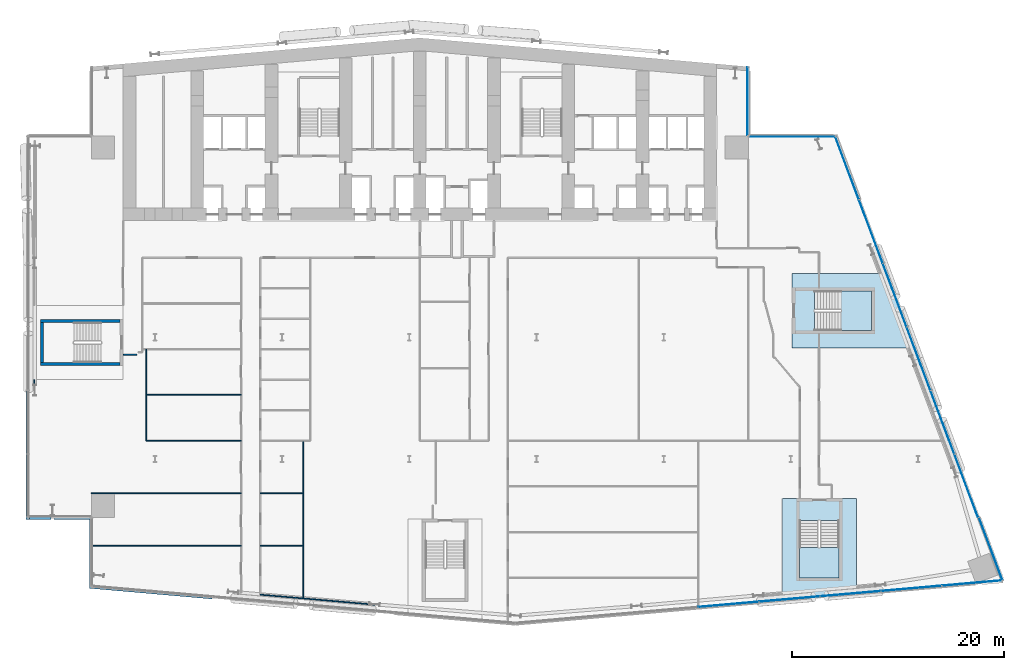
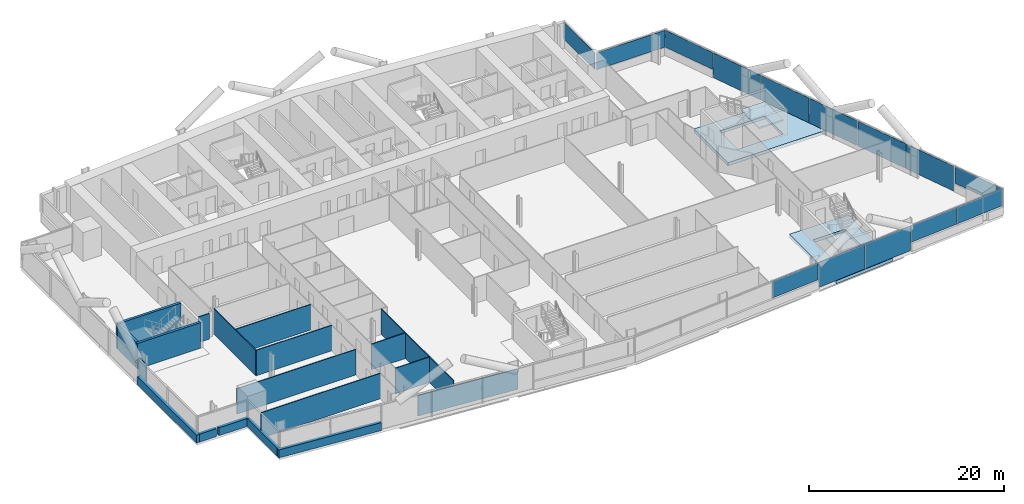
# One storey, part 12 of 27: 19 walls, 14 plates, 4 slabs, 6 elements without a shape of their own.
"""IFC4 building model written with IfcOpenShell, lengths in metres."""

from ifc_helpers import new_model, si_unit, direction, frame, frame_2d, origin, origin_2d, place, context, subcontext, project, spatial, polyline, rectangle, outline, extrude, material, layer, layer_set, type_object, element, aggregate, save


model = new_model("IFC4")

# Units and contexts
model_context = context("Model", 3, precision=1e-05, world=origin(), true_north=direction((0.0, 1.0)))
body_context = subcontext(model_context, "Body", "Model", "MODEL_VIEW")
ifc_project = project(units=[si_unit("LENGTHUNIT", "METRE"), si_unit("AREAUNIT", "SQUARE_METRE"), si_unit("VOLUMEUNIT", "CUBIC_METRE"), si_unit("PLANEANGLEUNIT", "RADIAN"), si_unit("MASSUNIT", "GRAM", prefix="KILO")], contexts=[model_context])

# Site, building, storey
site_placement = place(None, origin())
site = spatial("IfcSite", under=ifc_project, at=site_placement, CompositionType="ELEMENT")
building_placement = place(site_placement, origin())
building = spatial("IfcBuilding", under=site, at=building_placement, Name="Wharfspan Tower", CompositionType="ELEMENT")
storey_placement = place(building_placement, frame((0.0, 0.0, 73.899902)))
storey = spatial("IfcBuildingStorey", under=building, at=storey_placement, Name="L15", CompositionType="ELEMENT", Elevation=73.899902)

# Curtain wall, plates
ifc_material_1 = material(Name="Aluminium 6063-T6", Category="aluminium")
curtain_wall_type_1 = type_object("IfcCurtainWallType", Name="CURTAIN WALL FACETED FRONT", PredefinedType="NOTDEFINED", material=ifc_material_1)
curtain_wall_1_placement = place(storey_placement, origin())
curtain_wall_1 = element("IfcCurtainWall", 1, at=curtain_wall_1_placement, inside=storey, type_object=curtain_wall_type_1, Name="Curtain wall S2", PredefinedType="NOTDEFINED")
ifc_material_2 = material(Name="Glass clear low-iron double glazing", Category="glass")
ifc_layer_1 = layer(ifc_material_2, 0.040039)
ifc_layer_set_1 = layer_set([ifc_layer_1], Name="Glass clear low-iron double glazing")
plate_type_1 = type_object("IfcPlateType", Name="GLASS PANEL FACETED FRONT 40", PredefinedType="CURTAIN_PANEL", material=ifc_layer_set_1)
plate_1_placement = place(storey_placement, frame((66.119873, -2.204102, 1.0), z_axis=(0.0, 0.0, 1.0), x_axis=(0.996197, 0.087156, 0.0)))
plate_1 = element("IfcPlate", 2, at=plate_1_placement, type_object=plate_type_1, Name="Curtain wall S2 panel 4", PredefinedType="CURTAIN_PANEL", context=body_context, shape_type="SweptSolid", body=[
    extrude(rectangle(XDim=5.711914, YDim=0.040039, at=origin_2d()), origin(), (0.0, 0.0, 1.0), 2.120117),
])
plate_2_placement = place(storey_placement, frame((83.369873, -0.694824, 1.0), z_axis=(0.0, 0.0, 1.0), x_axis=(0.996197, 0.087156, 0.0)))
plate_2 = element("IfcPlate", 3, at=plate_2_placement, type_object=plate_type_1, Name="Curtain wall S2 panel 7", PredefinedType="CURTAIN_PANEL", context=body_context, shape_type="SweptSolid", body=[
    extrude(rectangle(XDim=5.711914, YDim=0.040039, at=origin_2d()), origin(), (0.0, 0.0, 1.0), 2.120117),
])
plate_3_placement = place(storey_placement, frame((89.104736, -0.193115, 1.0), z_axis=(0.0, 0.0, 1.0), x_axis=(0.996197, 0.087156, 0.0)))
plate_3 = element("IfcPlate", 4, at=plate_3_placement, type_object=plate_type_1, Name="Curtain wall S2 panel 8", PredefinedType="CURTAIN_PANEL", context=body_context, shape_type="SweptSolid", body=[
    extrude(rectangle(XDim=5.681885, YDim=0.040039, at=origin_2d()), origin(), (0.0, 0.0, 1.0), 2.120117),
])

curtain_wall_type_2 = type_object("IfcCurtainWallType", Name="CURTAIN WALL PROW AND END", PredefinedType="NOTDEFINED", material=ifc_material_1)
curtain_wall_2_placement = place(storey_placement, origin())
curtain_wall_2 = element("IfcCurtainWall", 5, at=curtain_wall_2_placement, inside=storey, type_object=curtain_wall_type_2, Name="Curtain wall E", PredefinedType="NOTDEFINED")
ifc_layer_2 = layer(ifc_material_2, 0.040039)
ifc_layer_set_2 = layer_set([ifc_layer_2], Name="Glass clear low-iron double glazing")
plate_type_2 = type_object("IfcPlateType", Name="GLASS PANEL PROW AND END 40", PredefinedType="CURTAIN_PANEL", material=ifc_layer_set_2)
plate_4_placement = place(storey_placement, frame((90.869629, 3.01416, 1.0), z_axis=(0.0, 0.0, 1.0), x_axis=(-0.351123, 0.936328, 0.0)))
plate_4 = element("IfcPlate", 6, at=plate_4_placement, type_object=plate_type_2, Name="Curtain wall E panel 1", PredefinedType="CURTAIN_PANEL", context=body_context, shape_type="SweptSolid", body=[
    extrude(rectangle(XDim=6.318115, YDim=0.040039, at=origin_2d()), origin(), (0.0, 0.0, 1.0), 2.120117),
])
plate_5_placement = place(storey_placement, frame((77.30542, 38.957764, 1.0), z_axis=(0.0, 0.0, 1.0), x_axis=(-0.351123, 0.936328, 0.0)))
plate_5 = element("IfcPlate", 7, at=plate_5_placement, type_object=plate_type_2, Name="Curtain wall E panel 7", PredefinedType="CURTAIN_PANEL", context=body_context, shape_type="SweptSolid", body=[
    extrude(rectangle(XDim=6.318115, YDim=0.040039, at=origin_2d()), origin(), (0.0, 0.0, 1.0), 2.120117),
])

# Curtain wall, plate
curtain_wall_3_placement = place(storey_placement, origin())
curtain_wall_3 = element("IfcCurtainWall", 8, at=curtain_wall_3_placement, inside=storey, type_object=curtain_wall_type_2, Name="Curtain wall NRE-H", PredefinedType="NOTDEFINED")
plate_6_placement = place(storey_placement, frame((72.125, 41.919922, 1.0), z_axis=(0.0, 0.0, 1.0), x_axis=(-1.0, 0.0, 0.0)))
plate_6 = element("IfcPlate", 9, at=plate_6_placement, type_object=plate_type_2, Name="Curtain wall NRE-H panel 1", PredefinedType="CURTAIN_PANEL", context=body_context, shape_type="SweptSolid", body=[
    extrude(rectangle(XDim=8.129883, YDim=0.040039, at=origin_2d()), origin(), (0.0, 0.0, 1.0), 2.120117),
])
aggregate(curtain_wall_3, [plate_6])

curtain_wall_4_placement = place(storey_placement, origin())
curtain_wall_4 = element("IfcCurtainWall", 10, at=curtain_wall_4_placement, inside=storey, type_object=curtain_wall_type_2, Name="Curtain wall NRE-V", PredefinedType="NOTDEFINED")
plate_7_placement = place(storey_placement, frame((67.919922, 45.262451, 1.0), z_axis=(0.0, 0.0, 1.0), x_axis=(0.0, 1.0, 0.0)))
plate_7 = element("IfcPlate", 11, at=plate_7_placement, type_object=plate_type_2, Name="Curtain wall NRE-V panel 1", PredefinedType="CURTAIN_PANEL", context=body_context, shape_type="SweptSolid", body=[
    extrude(rectangle(XDim=6.405029, YDim=0.040039, at=origin_2d()), origin(), (0.0, 0.0, 1.0), 2.120117),
])
aggregate(curtain_wall_4, [plate_7])

# Plate
ifc_material_3 = material(Name="Aluminium composite opaque insulated panel", Category="aluminium")
ifc_layer_3 = layer(ifc_material_3, 0.040039)
ifc_layer_set_3 = layer_set([ifc_layer_3], Name="Aluminium composite opaque insulated panel")
plate_type_3 = type_object("IfcPlateType", Name="INFILL PANEL FACETED FRONT OPAQUE 40", PredefinedType="SHEET", material=ifc_layer_set_3)
plate_8_placement = place(storey_placement, frame((71.869873, -1.700928, 0.0), z_axis=(0.0, 0.0, 1.0), x_axis=(0.996197, 0.087156, 0.0)))
plate_8 = element("IfcPlate", 12, at=plate_8_placement, type_object=plate_type_3, Name="Curtain wall S2 panel 5", PredefinedType="SHEET", context=body_context, shape_type="SweptSolid", body=[
    extrude(rectangle(XDim=5.711914, YDim=0.040039, at=origin_2d()), origin(), (0.0, 0.0, 1.0), 3.120117),
])

plate_9_placement = place(storey_placement, frame((77.619873, -1.197998, 0.0), z_axis=(0.0, 0.0, 1.0), x_axis=(0.996197, 0.087156, 0.0)))
plate_9 = element("IfcPlate", 13, at=plate_9_placement, type_object=plate_type_3, Name="Curtain wall S2 panel 6", PredefinedType="SHEET", context=body_context, shape_type="SweptSolid", body=[
    extrude(rectangle(XDim=5.711914, YDim=0.040039, at=origin_2d()), origin(), (0.0, 0.0, 1.0), 3.120117),
])

aggregate(curtain_wall_1, [plate_1, plate_8, plate_9, plate_2, plate_3])

ifc_layer_4 = layer(ifc_material_3, 0.040039)
ifc_layer_set_4 = layer_set([ifc_layer_4], Name="Aluminium composite opaque insulated panel")
plate_type_4 = type_object("IfcPlateType", Name="INFILL PANEL PROW AND END OPAQUE 40", PredefinedType="SHEET", material=ifc_layer_set_4)
plate_10_placement = place(storey_placement, frame((88.550049, 8.971924, 0.0), z_axis=(0.0, 0.0, 1.0), x_axis=(-0.351123, 0.936328, 0.0)))
plate_10 = element("IfcPlate", 14, at=plate_10_placement, type_object=plate_type_4, Name="Curtain wall E panel 2", PredefinedType="SHEET", context=body_context, shape_type="SweptSolid", body=[
    extrude(rectangle(XDim=6.3479, YDim=0.040039, at=origin_2d()), origin(), (0.0, 0.0, 1.0), 3.120117),
])

plate_11_placement = place(storey_placement, frame((86.300049, 14.971924, 0.0), z_axis=(0.0, 0.0, 1.0), x_axis=(-0.351123, 0.936328, 0.0)))
plate_11 = element("IfcPlate", 15, at=plate_11_placement, type_object=plate_type_4, Name="Curtain wall E panel 3", PredefinedType="SHEET", context=body_context, shape_type="SweptSolid", body=[
    extrude(rectangle(XDim=6.3479, YDim=0.040039, at=origin_2d()), origin(), (0.0, 0.0, 1.0), 3.120117),
])

plate_12_placement = place(storey_placement, frame((84.050049, 20.971924, 0.0), z_axis=(0.0, 0.0, 1.0), x_axis=(-0.351123, 0.936328, 0.0)))
plate_12 = element("IfcPlate", 16, at=plate_12_placement, type_object=plate_type_4, Name="Curtain wall E panel 4", PredefinedType="SHEET", context=body_context, shape_type="SweptSolid", body=[
    extrude(rectangle(XDim=6.3479, YDim=0.040039, at=origin_2d()), origin(), (0.0, 0.0, 1.0), 3.120117),
])

plate_13_placement = place(storey_placement, frame((81.800049, 26.971924, 0.0), z_axis=(0.0, 0.0, 1.0), x_axis=(-0.351123, 0.936328, 0.0)))
plate_13 = element("IfcPlate", 17, at=plate_13_placement, type_object=plate_type_4, Name="Curtain wall E panel 5", PredefinedType="SHEET", context=body_context, shape_type="SweptSolid", body=[
    extrude(rectangle(XDim=6.3479, YDim=0.040039, at=origin_2d()), origin(), (0.0, 0.0, 1.0), 3.120117),
])

plate_14_placement = place(storey_placement, frame((79.550049, 32.971924, 0.0), z_axis=(0.0, 0.0, 1.0), x_axis=(-0.351123, 0.936328, 0.0)))
plate_14 = element("IfcPlate", 18, at=plate_14_placement, type_object=plate_type_4, Name="Curtain wall E panel 6", PredefinedType="SHEET", context=body_context, shape_type="SweptSolid", body=[
    extrude(rectangle(XDim=6.3479, YDim=0.040039, at=origin_2d()), origin(), (0.0, 0.0, 1.0), 3.120117),
])

aggregate(curtain_wall_2, [plate_4, plate_10, plate_11, plate_12, plate_13, plate_14, plate_5])

# Slabs
ifc_material_4 = material(Name="Concrete C40/50", Category="concrete")
ifc_layer_5 = layer(ifc_material_4, 0.399902)
ifc_layer_set_5 = layer_set([ifc_layer_5], Name="Concrete C40/50")
slab_type_1 = type_object("IfcSlabType", Name="Post-tensioned flat slab 400", PredefinedType="FLOOR", material=ifc_layer_set_5)
slab_1_placement = place(storey_placement, frame((0.0, 0.0, -0.400146)))
element("IfcSlab", 19, at=slab_1_placement, inside=storey, type_object=slab_type_1, Name="Core floor slab L15 part 5", PredefinedType="FLOOR", context=body_context, shape_type="SweptSolid", body=[
    extrude(outline(polyline([(78.192383, 7.791992), (76.867432, 7.791992), (72.517578, 7.791992), (71.192383, 7.791992), (71.192383, -1.820312), (78.192383, -1.208008), (78.192383, 7.791992)]), holes=[polyline([(76.567383, 5.694092), (76.567627, 5.694092), (76.567871, 5.694092), (76.568115, 5.693848), (76.568115, 5.693848), (76.568359, 5.693848), (76.568604, 5.693604), (76.568604, 5.693604), (76.568848, 5.693359), (76.569092, 5.693359), (76.569092, 5.693115), (76.569092, 5.692871), (76.569336, 5.692871), (76.569336, 5.692627), (76.569336, 5.692383), (76.56958, 5.692139), (76.56958, 5.691895), (76.56958, 0.291992), (76.56958, 0.291748), (76.569336, 0.291504), (76.569336, 0.291504), (76.569336, 0.29126), (76.569092, 0.291016), (76.569092, 0.291016), (76.569092, 0.290771), (76.568848, 0.290527), (76.568604, 0.290527), (76.568604, 0.290283), (76.568359, 0.290283), (76.568115, 0.290283), (76.568115, 0.290039), (76.567871, 0.290039), (76.567627, 0.290039), (76.567383, 0.290039), (72.817383, 0.290039), (72.817383, 0.290039), (72.817139, 0.290039), (72.816895, 0.290039), (72.81665, 0.290283), (72.816406, 0.290283), (72.816406, 0.290283), (72.816162, 0.290527), (72.816162, 0.290527), (72.815918, 0.290771), (72.815918, 0.291016), (72.815674, 0.291016), (72.815674, 0.29126), (72.815674, 0.291504), (72.81543, 0.291504), (72.81543, 0.291748), (72.81543, 0.291992), (72.81543, 5.691895), (72.81543, 5.692139), (72.81543, 5.692383), (72.815674, 5.692627), (72.815674, 5.692871), (72.815674, 5.692871), (72.815918, 5.693115), (72.815918, 5.693359), (72.816162, 5.693359), (72.816162, 5.693604), (72.816406, 5.693604), (72.816406, 5.693848), (72.81665, 5.693848), (72.816895, 5.693848), (72.817139, 5.694092), (72.817383, 5.694092), (72.817383, 5.694092), (76.567383, 5.694092)])]), origin(), (0.0, 0.0, 1.0), 0.400146),
])
slab_2_placement = place(storey_placement, frame((0.0, 0.0, -0.400146)))
element("IfcSlab", 20, at=slab_2_placement, inside=storey, type_object=slab_type_1, Name="Core floor slab L15 part 6", PredefinedType="FLOOR", context=body_context, shape_type="SweptSolid", body=[
    extrude(outline(polyline([(81.125, 29.0), (72.125, 29.0), (72.125, 27.675049), (72.125, 23.324951), (72.125, 22.0), (83.75, 22.0), (81.125, 29.0)]), holes=[polyline([(74.2229, 27.375), (74.2229, 27.375244), (74.2229, 27.375488), (74.223145, 27.375488), (74.223145, 27.375732), (74.223145, 27.375977), (74.223389, 27.376221), (74.223389, 27.376221), (74.223633, 27.376465), (74.223633, 27.376465), (74.223877, 27.376709), (74.224121, 27.376709), (74.224121, 27.376709), (74.224365, 27.376953), (74.224609, 27.376953), (74.224854, 27.376953), (74.225098, 27.376953), (79.625, 27.376953), (79.625244, 27.376953), (79.625488, 27.376953), (79.625488, 27.376953), (79.625732, 27.376709), (79.625977, 27.376709), (79.626221, 27.376709), (79.626221, 27.376465), (79.626465, 27.376465), (79.626465, 27.376221), (79.626709, 27.376221), (79.626709, 27.375977), (79.626709, 27.375732), (79.626953, 27.375488), (79.626953, 27.375488), (79.626953, 27.375244), (79.626953, 27.375), (79.626953, 23.625), (79.626953, 23.624756), (79.626953, 23.624512), (79.626953, 23.624512), (79.626709, 23.624268), (79.626709, 23.624023), (79.626709, 23.623779), (79.626465, 23.623779), (79.626465, 23.623535), (79.626221, 23.623535), (79.626221, 23.623291), (79.625977, 23.623291), (79.625732, 23.623291), (79.625488, 23.623047), (79.625488, 23.623047), (79.625244, 23.623047), (79.625, 23.623047), (74.225098, 23.623047), (74.224854, 23.623047), (74.224609, 23.623047), (74.224365, 23.623047), (74.224121, 23.623291), (74.224121, 23.623291), (74.223877, 23.623291), (74.223633, 23.623535), (74.223633, 23.623535), (74.223389, 23.623779), (74.223389, 23.623779), (74.223145, 23.624023), (74.223145, 23.624268), (74.223145, 23.624512), (74.2229, 23.624512), (74.2229, 23.624756), (74.2229, 23.625), (74.2229, 27.375)])]), origin(), (0.0, 0.0, 1.0), 0.400146),
])

# Stair, slab
stair_type = type_object("IfcStairType", Name="Half-turn stair 20 risers 180 mm", PredefinedType="HALF_TURN_STAIR", material=ifc_material_4)
stair_1_placement = place(storey_placement, origin())
stair_1 = element("IfcStair", 21, at=stair_1_placement, inside=storey, type_object=stair_type, Name="L15 stair ST5", PredefinedType="HALF_TURN_STAIR")
ifc_layer_6 = layer(ifc_material_4, 0.199951)
ifc_layer_set_6 = layer_set([ifc_layer_6], Name="Concrete C40/50")
slab_type_2 = type_object("IfcSlabType", Name="Stair landing 200", PredefinedType="LANDING", material=ifc_layer_set_6)
slab_3_placement = place(storey_placement, frame((0.0, 0.0, 1.599854)))
slab_3 = element("IfcSlab", 22, at=slab_3_placement, type_object=slab_type_2, Name="ST5 landing 1", PredefinedType="LANDING", context=body_context, shape_type="SweptSolid", body=[
    extrude(outline(polyline([(72.817383, 3.172119), (72.817383, 0.291992), (76.567383, 0.291992), (76.567383, 3.172119), (72.817383, 3.172119)])), origin(), (0.0, 0.0, 1.0), 0.200195),
])
aggregate(stair_1, [slab_3])

stair_2_placement = place(storey_placement, origin())
stair_2 = element("IfcStair", 23, at=stair_2_placement, inside=storey, type_object=stair_type, Name="L15 stair ST6", PredefinedType="HALF_TURN_STAIR")
slab_4_placement = place(storey_placement, frame((0.0, 0.0, 1.599854)))
slab_4 = element("IfcSlab", 24, at=slab_4_placement, type_object=slab_type_2, Name="ST6 landing 1", PredefinedType="LANDING", context=body_context, shape_type="SweptSolid", body=[
    extrude(outline(polyline([(76.745117, 23.625), (79.625, 23.625), (79.625, 27.375), (76.745117, 27.375), (76.745117, 23.625)])), origin(), (0.0, 0.0, 1.0), 0.200195),
])
aggregate(stair_2, [slab_4])

# Walls
ifc_material_5 = material(Name="Gypsum board on steel studs", Category="steel")
ifc_layer_7 = layer(ifc_material_5, 0.100098)
ifc_layer_set_7 = layer_set([ifc_layer_7], Name="Gypsum board on steel studs")
wall_type_1 = type_object("IfcWallType", Name="Compartment wall 100 EI 60", PredefinedType="PARTITIONING", material=ifc_layer_set_7)
wall_1_placement = place(storey_placement, frame((6.0, 8.274902, 0.0), z_axis=(0.0, 0.0, 1.0), x_axis=(1.0, 0.0, 0.0)))
element("IfcWall", 25, at=wall_1_placement, inside=storey, type_object=wall_type_1, Name="Partition L15.w004", PredefinedType="PARTITIONING", context=body_context, shape_type="SweptSolid", body=[
    extrude(rectangle(XDim=14.139893, YDim=0.100098, at=frame_2d((7.069824, 0.0))), origin(), (0.0, 0.0, 1.0), 3.200195),
])
wall_2_placement = place(storey_placement, frame((6.02002, 3.314941, 0.0), z_axis=(0.0, 0.0, 1.0), x_axis=(1.0, 0.0, 0.0)))
element("IfcWall", 26, at=wall_2_placement, inside=storey, type_object=wall_type_1, Name="Partition L15.w005", PredefinedType="PARTITIONING", context=body_context, shape_type="SweptSolid", body=[
    extrude(rectangle(XDim=14.119873, YDim=0.100098, at=frame_2d((7.060059, 0.0))), origin(), (0.0, 0.0, 1.0), 3.200195),
])
wall_3_placement = place(storey_placement, frame((9.02002, 21.350098, 0.0), z_axis=(0.0, 0.0, 1.0), x_axis=(1.0, 0.0, 0.0)))
element("IfcWall", 27, at=wall_3_placement, inside=storey, type_object=wall_type_1, Name="Partition L15.w007", PredefinedType="PARTITIONING", context=body_context, shape_type="SweptSolid", body=[
    extrude(rectangle(XDim=1.280029, YDim=0.100098, at=frame_2d((0.640137, 0.0))), origin(), (0.0, 0.0, 1.0), 3.200195),
])
for number, where, z_axis, x_axis, name in (
    (28, (11.169922, 13.23999, 0.0), (0.0, 0.0, 1.0), (1.0, 0.0, 0.0), "Partition L15.w014"),
    (29, (11.169922, 17.554932, 0.0), (0.0, 0.0, 1.0), (1.0, 0.0, 0.0), "Partition L15.w015"),
):
    element("IfcWall", number, at=place(storey_placement, frame(where, z_axis=z_axis, x_axis=x_axis)), inside=storey, type_object=wall_type_1, Name=name, PredefinedType="PARTITIONING", context=body_context, shape_type="SweptSolid", body=[
        extrude(rectangle(XDim=8.969971, YDim=0.100098, at=frame_2d((4.484863, 0.0))), origin(), (0.0, 0.0, 1.0), 3.200195),
    ])
for number, where, z_axis, x_axis, name in (
    (30, (21.939941, 3.314941, 0.0), (0.0, 0.0, 1.0), (1.0, 0.0, 0.0), "Partition L15.w018"),
    (31, (21.939941, 8.274902, 0.0), (0.0, 0.0, 1.0), (1.0, 0.0, 0.0), "Partition L15.w019"),
):
    element("IfcWall", number, at=place(storey_placement, frame(where, z_axis=z_axis, x_axis=x_axis)), inside=storey, type_object=wall_type_1, Name=name, PredefinedType="PARTITIONING", context=body_context, shape_type="SweptSolid", body=[
        extrude(rectangle(XDim=4.060059, YDim=0.100098, at=frame_2d((2.030029, 0.0))), origin(), (0.0, 0.0, 1.0), 3.200195),
    ])
wall_4_placement = place(storey_placement, frame((33.219971, -2.274902, 0.0), z_axis=(0.0, 0.0, 1.0), x_axis=(-0.996212, 0.086913, 0.0)))
element("IfcWall", 32, at=wall_4_placement, inside=storey, type_object=wall_type_1, Name="Partition L15.w031", PredefinedType="PARTITIONING", context=body_context, shape_type="SweptSolid", body=[
    extrude(rectangle(XDim=11.323242, YDim=0.100098, at=frame_2d((5.661621, 0.0))), origin(), (0.0, 0.0, 1.0), 2.580078),
])
ifc_layer_8 = layer(ifc_material_5, 0.100098)
ifc_layer_set_8 = layer_set([ifc_layer_8], Name="Gypsum board on steel studs")
wall_type_2 = type_object("IfcWallType", Name="Partition 100", PredefinedType="PARTITIONING", material=ifc_layer_set_8)
wall_5_placement = place(storey_placement, frame((0.629883, 17.5, 0.0), z_axis=(0.0, 0.0, 1.0), x_axis=(0.0, 1.0, 0.0)))
element("IfcWall", 33, at=wall_5_placement, inside=storey, type_object=wall_type_2, Name="Partition L15.w001", PredefinedType="PARTITIONING", context=body_context, shape_type="SweptSolid", body=[
    extrude(rectangle(XDim=1.47998, YDim=0.100098, at=frame_2d((0.73999, 0.0))), origin(), (0.0, 0.0, 1.0), 2.580078),
])
wall_6_placement = place(storey_placement, frame((11.169922, 13.23999, 0.0), z_axis=(0.0, 0.0, 1.0), x_axis=(0.0, 1.0, 0.0)))
element("IfcWall", 34, at=wall_6_placement, inside=storey, type_object=wall_type_2, Name="Partition L15.w013", PredefinedType="PARTITIONING", context=body_context, shape_type="SweptSolid", body=[
    extrude(rectangle(XDim=8.630127, YDim=0.100098, at=frame_2d((4.314941, 0.0))), origin(), (0.0, 0.0, 1.0), 3.200195),
])
wall_7_placement = place(storey_placement, frame((26.0, -1.64502, 0.0), z_axis=(0.0, 0.0, 1.0), x_axis=(0.0, 1.0, 0.0)))
element("IfcWall", 35, at=wall_7_placement, inside=storey, type_object=wall_type_2, Name="Partition L15.w027", PredefinedType="PARTITIONING", context=body_context, shape_type="SweptSolid", body=[
    extrude(rectangle(XDim=14.88501, YDim=0.100098, at=frame_2d((7.442383, 0.0))), origin(), (0.0, 0.0, 1.0), 3.200195),
])
ifc_layer_9 = layer(ifc_material_4, 0.350098)
ifc_layer_set_9 = layer_set([ifc_layer_9], Name="Concrete C40/50")
wall_type_3 = type_object("IfcWallType", Name="SPANDREL EXPOSED CONCRETE 350", PredefinedType="SOLIDWALL", material=ifc_layer_set_9)
wall_8_placement = place(storey_placement, frame((5.835205, -0.515625, 0.0), z_axis=(0.0, 0.0, 1.0), x_axis=(0.996192, -0.087142, 0.0)))
element("IfcWall", 36, at=wall_8_placement, inside=storey, type_object=wall_type_3, Name="Spandrel upstand L15 S1 1", PredefinedType="SOLIDWALL", context=body_context, shape_type="SweptSolid", body=[
    extrude(rectangle(XDim=11.607178, YDim=0.350098, at=frame_2d((5.803711, 0.0))), origin(), (0.0, 0.0, 1.0), 1.0),
])
wall_9_placement = place(storey_placement, frame((-0.004883, 17.969971, 0.0), z_axis=(0.0, 0.0, 1.0), x_axis=(0.0, -1.0, 0.0)))
element("IfcWall", 37, at=wall_9_placement, inside=storey, type_object=wall_type_3, Name="Spandrel upstand L15 W", PredefinedType="SOLIDWALL", context=body_context, shape_type="SweptSolid", body=[
    extrude(rectangle(XDim=12.149902, YDim=0.350098, at=frame_2d((6.074951, 0.0))), origin(), (0.0, 0.0, 1.0), 1.0),
])
wall_10_placement = place(storey_placement, frame((0.169922, 5.995117, 0.0), z_axis=(0.0, 0.0, 1.0), x_axis=(1.0, 0.0, 0.0)))
element("IfcWall", 38, at=wall_10_placement, inside=storey, type_object=wall_type_3, Name="Spandrel upstand L15 NFW-H", PredefinedType="SOLIDWALL", context=body_context, shape_type="SweptSolid", body=[
    extrude(rectangle(XDim=2.010742, YDim=0.350098, at=frame_2d((1.005371, 0.0))), origin(), (0.0, 0.0, 1.0), 1.0),
])
wall_11_placement = place(storey_placement, frame((2.482666, 5.995117, 0.0), z_axis=(0.0, 0.0, 1.0), x_axis=(1.0, 0.0, 0.0)))
element("IfcWall", 39, at=wall_11_placement, inside=storey, type_object=wall_type_3, Name="Spandrel upstand L15 NFW-H 2", PredefinedType="SOLIDWALL", context=body_context, shape_type="SweptSolid", body=[
    extrude(rectangle(XDim=3.517334, YDim=0.350098, at=frame_2d((1.758789, 0.0))), origin(), (0.0, 0.0, 1.0), 1.0),
])
wall_12_placement = place(storey_placement, frame((5.995117, 5.820068, 0.0), z_axis=(0.0, 0.0, 1.0), x_axis=(0.0, -1.0, 0.0)))
element("IfcWall", 40, at=wall_12_placement, inside=storey, type_object=wall_type_3, Name="Spandrel upstand L15 NFW-V", PredefinedType="SOLIDWALL", context=body_context, shape_type="SweptSolid", body=[
    extrude(rectangle(XDim=6.161377, YDim=0.350098, at=frame_2d((3.080566, 0.0))), origin(), (0.0, 0.0, 1.0), 1.0),
])
ifc_layer_10 = layer(ifc_material_4, 0.300049)
ifc_layer_set_10 = layer_set([ifc_layer_10], Name="Concrete C40/50")
wall_type_4 = type_object("IfcWallType", Name="Stair core wall 300", PredefinedType="SHEAR", material=ifc_layer_set_10)
for number, where, z_axis, x_axis, name in (
    (41, (1.199951, 20.475098, 0.0), (0.0, 0.0, 1.0), (1.0, 0.0, 0.0), "ST3 stair enclosure wall L15"),
    (42, (1.199951, 24.524902, 0.0), (0.0, 0.0, 1.0), (1.0, 0.0, 0.0), "ST3 stair enclosure wall L15"),
):
    element("IfcWall", number, at=place(storey_placement, frame(where, z_axis=z_axis, x_axis=x_axis)), inside=storey, type_object=wall_type_4, Name=name, PredefinedType="SHEAR", context=body_context, shape_type="SweptSolid", body=[
        extrude(rectangle(XDim=7.5, YDim=0.300049, at=frame_2d((3.75, 0.0))), origin(), (0.0, 0.0, 1.0), 3.200195),
    ])
wall_13_placement = place(storey_placement, frame((1.350098, 20.625, 0.0), z_axis=(0.0, 0.0, 1.0), x_axis=(0.0, 1.0, 0.0)))
element("IfcWall", 43, at=wall_13_placement, inside=storey, type_object=wall_type_4, Name="ST3 stair enclosure wall L15", PredefinedType="SHEAR", context=body_context, shape_type="SweptSolid", body=[
    extrude(rectangle(XDim=3.75, YDim=0.300049, at=frame_2d((1.875, 0.0))), origin(), (0.0, 0.0, 1.0), 3.200195),
])

save(model, "model.ifc")
